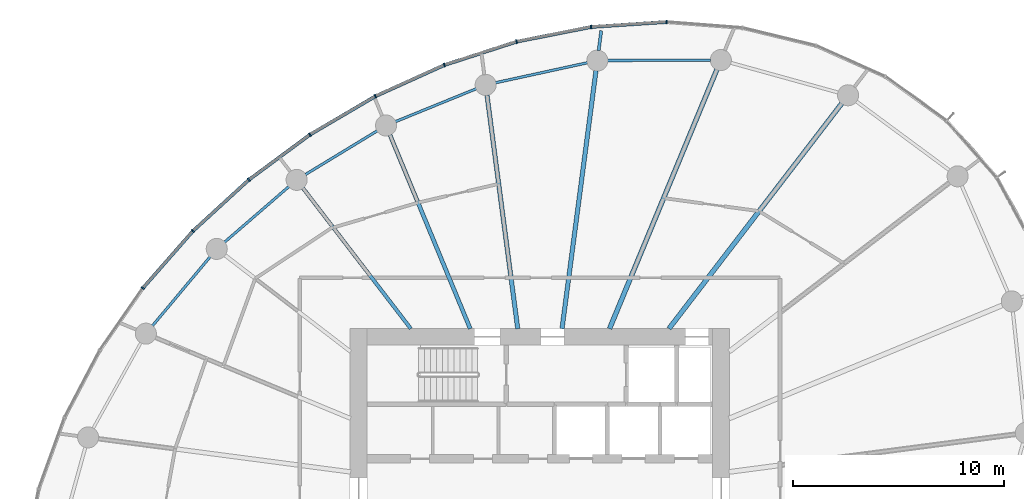
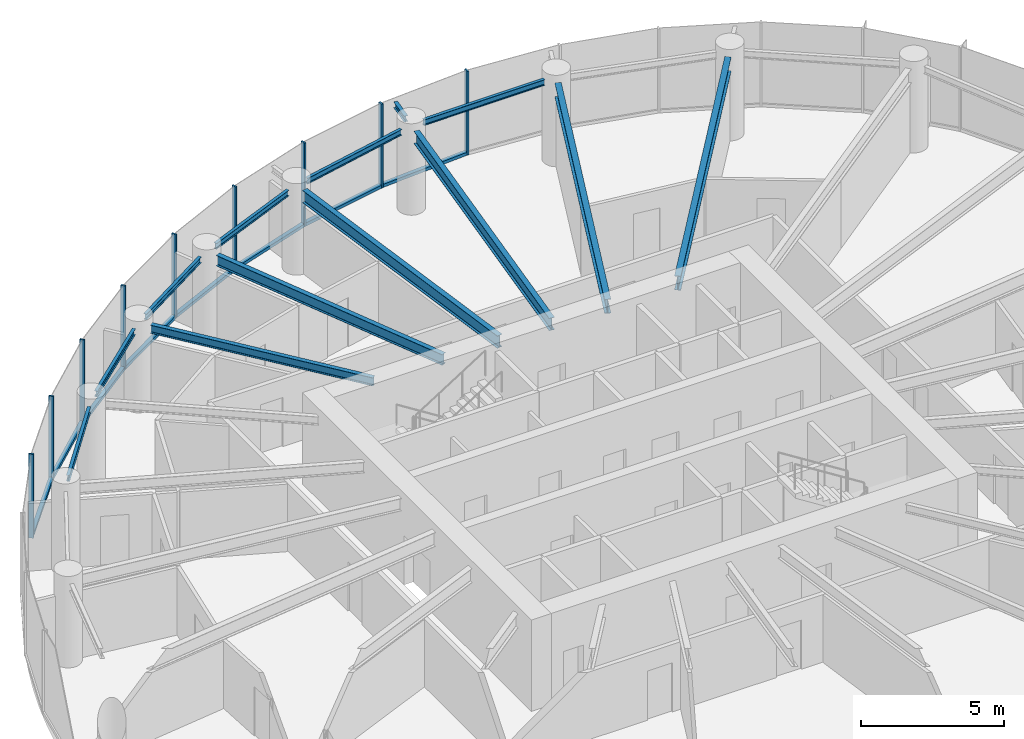
# One storey, part 5 of 15: 17 members, 13 beams, 3 elements without a shape of their own.
"""IFC4 building model written with IfcOpenShell, lengths in metres."""

from ifc_helpers import new_model, si_unit, direction, frame, origin, origin_2d, place, context, subcontext, project, spatial, rectangle, i_section, extrude, source, transform, mapped, material, layer, layer_set, material_profile, profile_set, type_object, element, aggregate, save


model = new_model("IFC4")

# Units and contexts
model_context = context("Model", 3, precision=1e-05, world=origin(), true_north=direction((0.0, 1.0)))
body_context = subcontext(model_context, "Body", "Model", "MODEL_VIEW")
ifc_project = project(units=[si_unit("LENGTHUNIT", "METRE"), si_unit("AREAUNIT", "SQUARE_METRE"), si_unit("VOLUMEUNIT", "CUBIC_METRE"), si_unit("PLANEANGLEUNIT", "RADIAN"), si_unit("MASSUNIT", "GRAM", prefix="KILO")], contexts=[model_context])

# Site, building, storey
site_placement = place(None, origin())
site = spatial("IfcSite", under=ifc_project, at=site_placement, CompositionType="ELEMENT")
building_placement = place(site_placement, origin())
building = spatial("IfcBuilding", under=site, at=building_placement, Name="Spindrift Exchange Tower", CompositionType="ELEMENT")
storey_placement = place(building_placement, frame((0.0, 0.0, 172.10009765625)))
storey = spatial("IfcBuildingStorey", under=building, at=storey_placement, Name="L41", CompositionType="ELEMENT", Elevation=172.10009765625)

# Beams
ifc_material_1 = material(Name="Steel Grade 300", Category="steel")
ifc_material_profile_1 = material_profile(ifc_material_1, i_section(OverallWidth=0.1240234375, OverallDepth=0.248046875, WebThickness=0.0048828125, FlangeThickness=0.008056640625, FilletRadius=0.011962890625, at=origin_2d()), Name="250UB25.7")
ifc_profile_set_1 = profile_set([ifc_material_profile_1], Name="Steel Grade 300")
beam_type_1 = type_object("IfcBeamType", Name="Edge Beam 250UB25.7 Steel Grade 300", PredefinedType="SPANDREL", material=ifc_profile_set_1)
shared_shape_1 = source(origin(), body_context, "Body", "SweptSolid", [
    extrude(i_section(OverallWidth=0.1240234375, OverallDepth=0.248046875, WebThickness=0.0048828125, FlangeThickness=0.008056640625, FilletRadius=0.011962890625, at=origin_2d()), origin(), (0.0, 0.0, 1.0), 4.901123046875),
])
beam_1_placement = place(storey_placement, frame((60.10693359375, 68.728759765625, 3.455810546875), z_axis=(-0.999990609444, -0.004333707747, 0.0), x_axis=(0.004333707747, -0.999990609444, 0.0)))
element("IfcBeam", 1, at=beam_1_placement, inside=storey, type_object=beam_type_1, Name="L41 edge beam E05", PredefinedType="SPANDREL", context=body_context, shape_type="MappedRepresentation", body=[
    mapped(shared_shape_1, transform((0.0, 0.0, 0.0), scale=1.0)),
])
shared_shape_2 = source(origin(), body_context, "Body", "SweptSolid", [
    extrude(i_section(OverallWidth=0.1240234375, OverallDepth=0.248046875, WebThickness=0.0048828125, FlangeThickness=0.008056640625, FilletRadius=0.011962890625, at=origin_2d()), origin(), (0.0, 0.0, 1.0), 4.464111328125),
])
beam_2_placement = place(storey_placement, frame((54.2568359375, 68.603271484375, 3.455810546875), z_axis=(-0.977095837978, -0.212799726048, 0.0), x_axis=(0.212799726048, -0.977095837978, 0.0)))
element("IfcBeam", 2, at=beam_2_placement, inside=storey, type_object=beam_type_1, Name="L41 edge beam E06", PredefinedType="SPANDREL", context=body_context, shape_type="MappedRepresentation", body=[
    mapped(shared_shape_2, transform((0.0, 0.0, 0.0), scale=1.0)),
])
shared_shape_3 = source(origin(), body_context, "Body", "SweptSolid", [
    extrude(i_section(OverallWidth=0.1240234375, OverallDepth=0.248046875, WebThickness=0.0048828125, FlangeThickness=0.008056640625, FilletRadius=0.011962890625, at=origin_2d()), origin(), (0.0, 0.0, 1.0), 4.143798828125),
])
beam_3_placement = place(storey_placement, frame((48.9814453125, 67.3701171875, 3.455810546875), z_axis=(-0.926113706975, -0.377244485385, 0.0), x_axis=(0.377244485385, -0.926113706975, 0.0)))
element("IfcBeam", 3, at=beam_3_placement, inside=storey, type_object=beam_type_1, Name="L41 edge beam E07", PredefinedType="SPANDREL", context=body_context, shape_type="MappedRepresentation", body=[
    mapped(shared_shape_3, transform((0.0, 0.0, 0.0), scale=1.0)),
])
shared_shape_4 = source(origin(), body_context, "Body", "SweptSolid", [
    extrude(i_section(OverallWidth=0.1240234375, OverallDepth=0.248046875, WebThickness=0.0048828125, FlangeThickness=0.008056640625, FilletRadius=0.011962890625, at=origin_2d()), origin(), (0.0, 0.0, 1.0), 4.00634765625),
])
beam_4_placement = place(storey_placement, frame((44.2890625, 65.376220703125, 3.455810546875), z_axis=(-0.854331495603, -0.519728482596, 0.0), x_axis=(0.519728482596, -0.854331495603, 0.0)))
element("IfcBeam", 4, at=beam_4_placement, inside=storey, type_object=beam_type_1, Name="L41 edge beam E08", PredefinedType="SPANDREL", context=body_context, shape_type="MappedRepresentation", body=[
    mapped(shared_shape_4, transform((0.0, 0.0, 0.0), scale=1.0)),
])
shared_shape_5 = source(origin(), body_context, "Body", "SweptSolid", [
    extrude(i_section(OverallWidth=0.1240234375, OverallDepth=0.248046875, WebThickness=0.0048828125, FlangeThickness=0.008056640625, FilletRadius=0.011962890625, at=origin_2d()), origin(), (0.0, 0.0, 1.0), 4.052001953125),
])
beam_5_placement = place(storey_placement, frame((40.093017578125, 62.730712890625, 3.455810546875), z_axis=(-0.756715968535, -0.65374379, 0.0), x_axis=(0.65374379, -0.756715968535, 0.0)))
element("IfcBeam", 5, at=beam_5_placement, inside=storey, type_object=beam_type_1, Name="L41 edge beam E09", PredefinedType="SPANDREL", context=body_context, shape_type="MappedRepresentation", body=[
    mapped(shared_shape_5, transform((0.0, 0.0, 0.0), scale=1.0)),
])
shared_shape_6 = source(origin(), body_context, "Body", "SweptSolid", [
    extrude(i_section(OverallWidth=0.1240234375, OverallDepth=0.248046875, WebThickness=0.0048828125, FlangeThickness=0.008056640625, FilletRadius=0.011962890625, at=origin_2d()), origin(), (0.0, 0.0, 1.0), 4.282958984375),
])
beam_6_placement = place(storey_placement, frame((36.355712890625, 59.399658203125, 3.455810546875), z_axis=(-0.641400288548, -0.767206406289, 0.0), x_axis=(0.767206406289, -0.641400288548, 0.0)))
element("IfcBeam", 6, at=beam_6_placement, inside=storey, type_object=beam_type_1, Name="L41 edge beam E10", PredefinedType="SPANDREL", context=body_context, shape_type="MappedRepresentation", body=[
    mapped(shared_shape_6, transform((0.0, 0.0, 0.0), scale=1.0)),
])
ifc_material_profile_2 = material_profile(ifc_material_1, i_section(OverallWidth=0.22802734375, OverallDepth=0.60205078125, WebThickness=0.010498046875, FlangeThickness=0.014892578125, FilletRadius=0.013916015625, at=origin_2d()), Name="610UB101")
ifc_profile_set_2 = profile_set([ifc_material_profile_2], Name="Steel Grade 300")
beam_type_2 = type_object("IfcBeamType", Name="Floor Beam 610UB101 Steel Grade 300", PredefinedType="BEAM", material=ifc_profile_set_2)
shared_shape_7 = source(origin(), body_context, "Body", "SweptSolid", [
    extrude(i_section(OverallWidth=0.22802734375, OverallDepth=0.60205078125, WebThickness=0.010498046875, FlangeThickness=0.014892578125, FilletRadius=0.013916015625, at=origin_2d()), origin(), (0.0, 0.0, 1.0), 13.480224609375),
])
beam_7_placement = place(storey_placement, frame((58.12646484375, 55.984130859375, 3.27880859375), z_axis=(0.608764179541, 0.793351229726, 0.0), x_axis=(-0.793351229726, 0.608764179541, 0.0)))
element("IfcBeam", 7, at=beam_7_placement, inside=storey, type_object=beam_type_2, Name="L41 radial beam R04A", PredefinedType="BEAM", context=body_context, shape_type="MappedRepresentation", body=[
    mapped(shared_shape_7, transform((0.0, 0.0, 0.0), scale=1.0)),
])
shared_shape_8 = source(origin(), body_context, "Body", "SweptSolid", [
    extrude(i_section(OverallWidth=0.22802734375, OverallDepth=0.60205078125, WebThickness=0.010498046875, FlangeThickness=0.014892578125, FilletRadius=0.013916015625, at=origin_2d()), origin(), (0.0, 0.0, 1.0), 13.31982421875),
])
beam_8_placement = place(storey_placement, frame((55.30615234375, 55.9814453125, 3.27880859375), z_axis=(0.382676632888, 0.923882348918, 0.0), x_axis=(-0.923882348918, 0.382676632888, 0.0)))
element("IfcBeam", 8, at=beam_8_placement, inside=storey, type_object=beam_type_2, Name="L41 radial beam R05A", PredefinedType="BEAM", context=body_context, shape_type="MappedRepresentation", body=[
    mapped(shared_shape_8, transform((0.0, 0.0, 0.0), scale=1.0)),
])
ifc_material_profile_3 = material_profile(ifc_material_1, i_section(OverallWidth=0.208984375, OverallDepth=0.528076171875, WebThickness=0.009521484375, FlangeThickness=0.01318359375, FilletRadius=0.013916015625, at=origin_2d()), Name="530UB82.0")
ifc_profile_set_3 = profile_set([ifc_material_profile_3], Name="Steel Grade 300")
beam_type_3 = type_object("IfcBeamType", Name="Floor Beam 530UB82.0 Steel Grade 300", PredefinedType="BEAM", material=ifc_profile_set_3)
shared_shape_9 = source(origin(), body_context, "Body", "SweptSolid", [
    extrude(i_section(OverallWidth=0.208984375, OverallDepth=0.528076171875, WebThickness=0.009521484375, FlangeThickness=0.01318359375, FilletRadius=0.013916015625, at=origin_2d()), origin(), (0.0, 0.0, 1.0), 12.35498046875),
])
beam_9_placement = place(storey_placement, frame((53.050537109375, 55.980224609375, 3.31591796875), z_axis=(0.130537831721, 0.991443328935, 0.0), x_axis=(-0.991443328935, 0.130537831721, 0.0)))
element("IfcBeam", 9, at=beam_9_placement, inside=storey, type_object=beam_type_3, Name="L41 radial beam R06A", PredefinedType="BEAM", context=body_context, shape_type="MappedRepresentation", body=[
    mapped(shared_shape_9, transform((0.0, 0.0, 0.0), scale=1.0)),
])
shared_shape_10 = source(origin(), body_context, "Body", "SweptSolid", [
    extrude(i_section(OverallWidth=0.208984375, OverallDepth=0.528076171875, WebThickness=0.009521484375, FlangeThickness=0.01318359375, FilletRadius=0.013916015625, at=origin_2d()), origin(), (0.0, 0.0, 1.0), 11.19091796875),
])
beam_10_placement = place(storey_placement, frame((50.949462890625, 55.980224609375, 3.31591796875), z_axis=(-0.130524489434, 0.991445085548, 0.0), x_axis=(-0.991445085548, -0.130524489434, 0.0)))
element("IfcBeam", 10, at=beam_10_placement, inside=storey, type_object=beam_type_3, Name="L41 radial beam R07A", PredefinedType="BEAM", context=body_context, shape_type="MappedRepresentation", body=[
    mapped(shared_shape_10, transform((0.0, 0.0, 0.0), scale=1.0)),
])
ifc_material_profile_4 = material_profile(ifc_material_1, i_section(OverallWidth=0.18994140625, OverallDepth=0.4541015625, WebThickness=0.008544921875, FlangeThickness=0.0126953125, FilletRadius=0.013916015625, at=origin_2d()), Name="460UB67.1")
ifc_profile_set_4 = profile_set([ifc_material_profile_4], Name="Steel Grade 300")
beam_type_4 = type_object("IfcBeamType", Name="Floor Beam 460UB67.1 Steel Grade 300", PredefinedType="BEAM", material=ifc_profile_set_4)
shared_shape_11 = source(origin(), body_context, "Body", "SweptSolid", [
    extrude(i_section(OverallWidth=0.18994140625, OverallDepth=0.4541015625, WebThickness=0.008544921875, FlangeThickness=0.0126953125, FilletRadius=0.013916015625, at=origin_2d()), origin(), (0.0, 0.0, 1.0), 9.958984375),
])
beam_11_placement = place(storey_placement, frame((48.69384765625, 55.9814453125, 3.352783203125), z_axis=(-0.382673670509, 0.923883575944, 0.0), x_axis=(-0.923883575944, -0.382673670509, 0.0)))
element("IfcBeam", 11, at=beam_11_placement, inside=storey, type_object=beam_type_4, Name="L41 radial beam R08A", PredefinedType="BEAM", context=body_context, shape_type="MappedRepresentation", body=[
    mapped(shared_shape_11, transform((0.0, 0.0, 0.0), scale=1.0)),
])
ifc_material_profile_5 = material_profile(ifc_material_1, i_section(OverallWidth=0.1708984375, OverallDepth=0.35205078125, WebThickness=0.0068359375, FlangeThickness=0.009765625, FilletRadius=0.013916015625, at=origin_2d()), Name="360UB44.7")
ifc_profile_set_5 = profile_set([ifc_material_profile_5], Name="Steel Grade 300")
beam_type_5 = type_object("IfcBeamType", Name="Floor Beam 360UB44.7 Steel Grade 300", PredefinedType="BEAM", material=ifc_profile_set_5)
shared_shape_12 = source(origin(), body_context, "Body", "SweptSolid", [
    extrude(i_section(OverallWidth=0.1708984375, OverallDepth=0.35205078125, WebThickness=0.0068359375, FlangeThickness=0.009765625, FilletRadius=0.013916015625, at=origin_2d()), origin(), (0.0, 0.0, 1.0), 8.419189453125),
])
beam_12_placement = place(storey_placement, frame((45.87353515625, 55.984130859375, 3.40380859375), z_axis=(-0.608755970582, 0.79335752866, 0.0), x_axis=(-0.79335752866, -0.608755970582, 0.0)))
element("IfcBeam", 12, at=beam_12_placement, inside=storey, type_object=beam_type_5, Name="L41 radial beam R09A", PredefinedType="BEAM", context=body_context, shape_type="MappedRepresentation", body=[
    mapped(shared_shape_12, transform((0.0, 0.0, 0.0), scale=1.0)),
])
ifc_material_profile_6 = material_profile(ifc_material_1, i_section(OverallWidth=0.14599609375, OverallDepth=0.251953125, WebThickness=0.006103515625, FlangeThickness=0.008544921875, FilletRadius=0.011962890625, at=origin_2d()), Name="250UB31.4")
ifc_profile_set_6 = profile_set([ifc_material_profile_6], Name="Steel Grade 300")
beam_type_6 = type_object("IfcBeamType", Name="Cantilever Beam 250UB31.4 Steel Grade 300", PredefinedType="BEAM", material=ifc_profile_set_6)
shared_shape_13 = source(origin(), body_context, "Body", "SweptSolid", [
    extrude(i_section(OverallWidth=0.14599609375, OverallDepth=0.251953125, WebThickness=0.006103515625, FlangeThickness=0.008544921875, FilletRadius=0.011962890625, at=origin_2d()), origin(), (0.0, 0.0, 1.0), 0.951416015625),
])
beam_13_placement = place(storey_placement, frame((54.78857421875, 69.18115234375, 3.453857421875), z_axis=(0.13060053092, 0.991435071663, 0.0), x_axis=(-0.991435071663, 0.13060053092, 0.0)))
element("IfcBeam", 13, at=beam_13_placement, inside=storey, type_object=beam_type_6, Name="L41 cantilever beam R06T", PredefinedType="BEAM", context=body_context, shape_type="MappedRepresentation", body=[
    mapped(shared_shape_13, transform((0.0, 0.0, 0.0), scale=1.0)),
])

# Curtain wall, member
ifc_material_2 = material(Name="Fritted laminated glass with bronze frame", Category="glass")
ifc_layer = layer(ifc_material_2, 0.179931640625)
ifc_layer_set = layer_set([ifc_layer], Name="ZONE 3 BRONZE FRITTED WALL")
curtain_wall_type = type_object("IfcCurtainWallType", Name="ZONE 3 BRONZE FRITTED WALL", PredefinedType="NOTDEFINED", material=ifc_layer_set)
curtain_wall_1_placement = place(storey_placement, origin())
curtain_wall_1 = element("IfcCurtainWall", 14, at=curtain_wall_1_placement, inside=storey, type_object=curtain_wall_type, Name="L41 Zone 3 Bronze Fritted Wall run 1", PredefinedType="NOTDEFINED")
ifc_material_3 = material(Name="Bronze anodised aluminium", Category="aluminium")
ifc_material_profile_7 = material_profile(ifc_material_3, rectangle(XDim=0.070068359375, YDim=0.179931640625, at=origin_2d()), Name="ZONE 3 BRONZE FRITTED WALL MULLION 70X180")
ifc_profile_set_7 = profile_set([ifc_material_profile_7], Name="Bronze anodised aluminium")
member_type_1 = type_object("IfcMemberType", Name="ZONE 3 BRONZE FRITTED WALL MULLION 70X180", PredefinedType="MULLION", material=ifc_profile_set_7)
shared_shape_14 = source(origin(), body_context, "Body", "SweptSolid", [
    extrude(rectangle(XDim=0.070068359375, YDim=0.179931640625, at=origin_2d()), origin(), (0.0, 0.0, 1.0), 3.579833984375),
])
member_1_placement = place(storey_placement, frame((58.020263671875, 70.5419921875, 0.0), z_axis=(0.0, 0.0, 1.0), x_axis=(-0.999986185947, 0.005256226371, 0.0)))
member_1 = element("IfcMember", 15, at=member_1_placement, type_object=member_type_1, Name="L41 mullion CW-3.6", PredefinedType="MULLION", context=body_context, shape_type="MappedRepresentation", body=[
    mapped(shared_shape_14, transform((0.0, 0.0, 0.0), scale=1.0)),
])

# Curtain wall, members
curtain_wall_2_placement = place(storey_placement, origin())
curtain_wall_2 = element("IfcCurtainWall", 16, at=curtain_wall_2_placement, inside=storey, type_object=curtain_wall_type, Name="L41 Zone 3 Bronze Fritted Wall run 2", PredefinedType="NOTDEFINED")
member_2_placement = place(storey_placement, frame((54.42822265625, 70.3037109375, 0.0), z_axis=(0.0, 0.0, 1.0), x_axis=(-0.991492035863, -0.130167364654, 0.0)))
member_2 = element("IfcMember", 17, at=member_2_placement, type_object=member_type_1, Name="L41 mullion CW-3.7", PredefinedType="MULLION", context=body_context, shape_type="MappedRepresentation", body=[
    mapped(shared_shape_14, transform((0.0, 0.0, 0.0), scale=1.0)),
])
member_3_placement = place(storey_placement, frame((50.896240234375, 69.606689453125, 0.0), z_axis=(0.0, 0.0, 1.0), x_axis=(-0.967902740995, -0.251325056399, 0.0)))
member_3 = element("IfcMember", 18, at=member_3_placement, type_object=member_type_1, Name="L41 mullion CW-3.8", PredefinedType="MULLION", context=body_context, shape_type="MappedRepresentation", body=[
    mapped(shared_shape_14, transform((0.0, 0.0, 0.0), scale=1.0)),
])
member_4_placement = place(storey_placement, frame((47.470703125, 68.497314453125, 0.0), z_axis=(0.0, 0.0, 1.0), x_axis=(-0.932759741229, -0.360498634036, 0.0)))
member_4 = element("IfcMember", 19, at=member_4_placement, type_object=member_type_1, Name="L41 mullion CW-3.9", PredefinedType="MULLION", context=body_context, shape_type="MappedRepresentation", body=[
    mapped(shared_shape_14, transform((0.0, 0.0, 0.0), scale=1.0)),
])
member_5_placement = place(storey_placement, frame((44.189453125, 67.014404296875, 0.0), z_axis=(0.0, 0.0, 1.0), x_axis=(-0.888016483954, -0.459811618194, 0.0)))
member_5 = element("IfcMember", 20, at=member_5_placement, type_object=member_type_1, Name="L41 mullion CW-3.10", PredefinedType="MULLION", context=body_context, shape_type="MappedRepresentation", body=[
    mapped(shared_shape_14, transform((0.0, 0.0, 0.0), scale=1.0)),
])
member_6_placement = place(storey_placement, frame((41.084716796875, 65.1904296875, 0.0), z_axis=(0.0, 0.0, 1.0), x_axis=(-0.834442991295, -0.551094269866, 0.0)))
member_6 = element("IfcMember", 21, at=member_6_placement, type_object=member_type_1, Name="L41 mullion CW-3.11", PredefinedType="MULLION", context=body_context, shape_type="MappedRepresentation", body=[
    mapped(shared_shape_14, transform((0.0, 0.0, 0.0), scale=1.0)),
])
member_7_placement = place(storey_placement, frame((38.188232421875, 63.051025390625, 0.0), z_axis=(0.0, 0.0, 1.0), x_axis=(-0.77189313577, -0.635752299996, 0.0)))
member_7 = element("IfcMember", 22, at=member_7_placement, type_object=member_type_1, Name="L41 mullion CW-3.12", PredefinedType="MULLION", context=body_context, shape_type="MappedRepresentation", body=[
    mapped(shared_shape_14, transform((0.0, 0.0, 0.0), scale=1.0)),
])

curtain_wall_3_placement = place(storey_placement, origin())
curtain_wall_3 = element("IfcCurtainWall", 23, at=curtain_wall_3_placement, inside=storey, type_object=curtain_wall_type, Name="L41 Zone 3 Bronze Fritted Wall run 3", PredefinedType="NOTDEFINED")
member_8_placement = place(storey_placement, frame((35.533447265625, 60.618408203125, 0.0), z_axis=(0.0, 0.0, 1.0), x_axis=(-0.699492734564, -0.714639709429, 0.0)))
member_8 = element("IfcMember", 24, at=member_8_placement, type_object=member_type_1, Name="L41 mullion CW-3.13", PredefinedType="MULLION", context=body_context, shape_type="MappedRepresentation", body=[
    mapped(shared_shape_14, transform((0.0, 0.0, 0.0), scale=1.0)),
])
member_9_placement = place(storey_placement, frame((33.158203125, 57.912109375, 0.0), z_axis=(0.0, 0.0, 1.0), x_axis=(-0.615634800247, -0.788031593735, 0.0)))
member_9 = element("IfcMember", 25, at=member_9_placement, type_object=member_type_1, Name="L41 mullion CW-3.14", PredefinedType="MULLION", context=body_context, shape_type="MappedRepresentation", body=[
    mapped(shared_shape_14, transform((0.0, 0.0, 0.0), scale=1.0)),
])

# Member
ifc_material_profile_8 = material_profile(ifc_material_3, rectangle(XDim=0.159912109375, YDim=0.1298828125, at=origin_2d()), Name="ZONE 3 BRONZE FRITTED WALL TRANSOM 160X130")
ifc_profile_set_8 = profile_set([ifc_material_profile_8], Name="Bronze anodised aluminium")
member_type_2 = type_object("IfcMemberType", Name="ZONE 3 BRONZE FRITTED WALL TRANSOM 160X130", PredefinedType="USERDEFINED", material=ifc_profile_set_8)
shared_shape_15 = source(origin(), body_context, "Body", "SweptSolid", [
    extrude(rectangle(XDim=0.159912109375, YDim=0.1298828125, at=origin_2d()), origin(), (0.0, 0.0, 1.0), 3.53076171875),
])
member_10_placement = place(storey_placement, frame((44.1591796875, 66.996826171875, 0.06494140625), z_axis=(-0.862197178676, -0.50657282308, 0.0), x_axis=(0.50657282308, -0.862197178676, 0.0)))
member_10 = element("IfcMember", 26, at=member_10_placement, type_object=member_type_2, Name="L41 transom CW-3.10", ObjectType="TRANSOM", PredefinedType="USERDEFINED", context=body_context, shape_type="MappedRepresentation", body=[
    mapped(shared_shape_15, transform((0.0, 0.0, 0.0), scale=1.0)),
])

member_11_placement = place(storey_placement, frame((38.162353515625, 63.02734375, 0.06494140625), z_axis=(-0.737240241208, -0.67563068813, 0.0), x_axis=(0.67563068813, -0.737240241208, 0.0)))
member_11 = element("IfcMember", 27, at=member_11_placement, type_object=member_type_2, Name="L41 transom CW-3.12", ObjectType="TRANSOM", PredefinedType="USERDEFINED", context=body_context, shape_type="MappedRepresentation", body=[
    mapped(shared_shape_15, transform((0.0, 0.0, 0.0), scale=1.0)),
])

shared_shape_16 = source(origin(), body_context, "Body", "SweptSolid", [
    extrude(rectangle(XDim=0.159912109375, YDim=0.1298828125, at=origin_2d()), origin(), (0.0, 0.0, 1.0), 3.531005859375),
])
member_12_placement = place(storey_placement, frame((47.43896484375, 68.48291015625, 0.06494140625), z_axis=(-0.911273526454, -0.411801602698, 0.0), x_axis=(0.411801602698, -0.911273526454, 0.0)))
member_12 = element("IfcMember", 28, at=member_12_placement, type_object=member_type_2, Name="L41 transom CW-3.9", ObjectType="TRANSOM", PredefinedType="USERDEFINED", context=body_context, shape_type="MappedRepresentation", body=[
    mapped(shared_shape_16, transform((0.0, 0.0, 0.0), scale=1.0)),
])

member_13_placement = place(storey_placement, frame((41.056640625, 65.169677734375, 0.06494140625), z_axis=(-0.804375824717, -0.594120806412, 0.0), x_axis=(0.594120806412, -0.804375824717, 0.0)))
member_13 = element("IfcMember", 29, at=member_13_placement, type_object=member_type_2, Name="L41 transom CW-3.11", ObjectType="TRANSOM", PredefinedType="USERDEFINED", context=body_context, shape_type="MappedRepresentation", body=[
    mapped(shared_shape_16, transform((0.0, 0.0, 0.0), scale=1.0)),
])

shared_shape_17 = source(origin(), body_context, "Body", "SweptSolid", [
    extrude(rectangle(XDim=0.159912109375, YDim=0.1298828125, at=origin_2d()), origin(), (0.0, 0.0, 1.0), 3.5302734375),
])
member_14_placement = place(storey_placement, frame((50.86279296875, 69.595703125, 0.06494140625), z_axis=(-0.951359298, -0.308083570007, 0.0), x_axis=(0.308083570007, -0.951359298, 0.0)))
member_14 = element("IfcMember", 30, at=member_14_placement, type_object=member_type_2, Name="L41 transom CW-3.8", ObjectType="TRANSOM", PredefinedType="USERDEFINED", context=body_context, shape_type="MappedRepresentation", body=[
    mapped(shared_shape_17, transform((0.0, 0.0, 0.0), scale=1.0)),
])

shared_shape_18 = source(origin(), body_context, "Body", "SweptSolid", [
    extrude(rectangle(XDim=0.159912109375, YDim=0.1298828125, at=origin_2d()), origin(), (0.0, 0.0, 1.0), 3.530517578125),
])
member_15_placement = place(storey_placement, frame((54.39404296875, 70.297119140625, 0.06494140625), z_axis=(-0.981061753842, -0.193695211991, 0.0), x_axis=(0.193695211991, -0.981061753842, 0.0)))
member_15 = element("IfcMember", 31, at=member_15_placement, type_object=member_type_2, Name="L41 transom CW-3.7", ObjectType="TRANSOM", PredefinedType="USERDEFINED", context=body_context, shape_type="MappedRepresentation", body=[
    mapped(shared_shape_18, transform((0.0, 0.0, 0.0), scale=1.0)),
])

aggregate(curtain_wall_2, [member_2, member_15, member_3, member_14, member_4, member_12, member_5, member_10, member_6, member_13, member_7, member_11])

member_16_placement = place(storey_placement, frame((35.51025390625, 60.592041015625, 0.06494140625), z_axis=(-0.659624969244, -0.751594904153, 0.0), x_axis=(0.751594904153, -0.659624969244, 0.0)))
member_16 = element("IfcMember", 32, at=member_16_placement, type_object=member_type_2, Name="L41 transom CW-3.13", ObjectType="TRANSOM", PredefinedType="USERDEFINED", context=body_context, shape_type="MappedRepresentation", body=[
    mapped(shared_shape_18, transform((0.0, 0.0, 0.0), scale=1.0)),
])

aggregate(curtain_wall_3, [member_8, member_16, member_9])

shared_shape_19 = source(origin(), body_context, "Body", "SweptSolid", [
    extrude(rectangle(XDim=0.159912109375, YDim=0.1298828125, at=origin_2d()), origin(), (0.0, 0.0, 1.0), 3.530029296875),
])
member_17_placement = place(storey_placement, frame((57.9853515625, 70.53955078125, 0.06494140625), z_axis=(-0.997811702549, -0.066119635935, 0.0), x_axis=(0.066119635935, -0.997811702549, 0.0)))
member_17 = element("IfcMember", 33, at=member_17_placement, type_object=member_type_2, Name="L41 transom CW-3.6", ObjectType="TRANSOM", PredefinedType="USERDEFINED", context=body_context, shape_type="MappedRepresentation", body=[
    mapped(shared_shape_19, transform((0.0, 0.0, 0.0), scale=1.0)),
])

aggregate(curtain_wall_1, [member_1, member_17])

save(model, "model.ifc")
